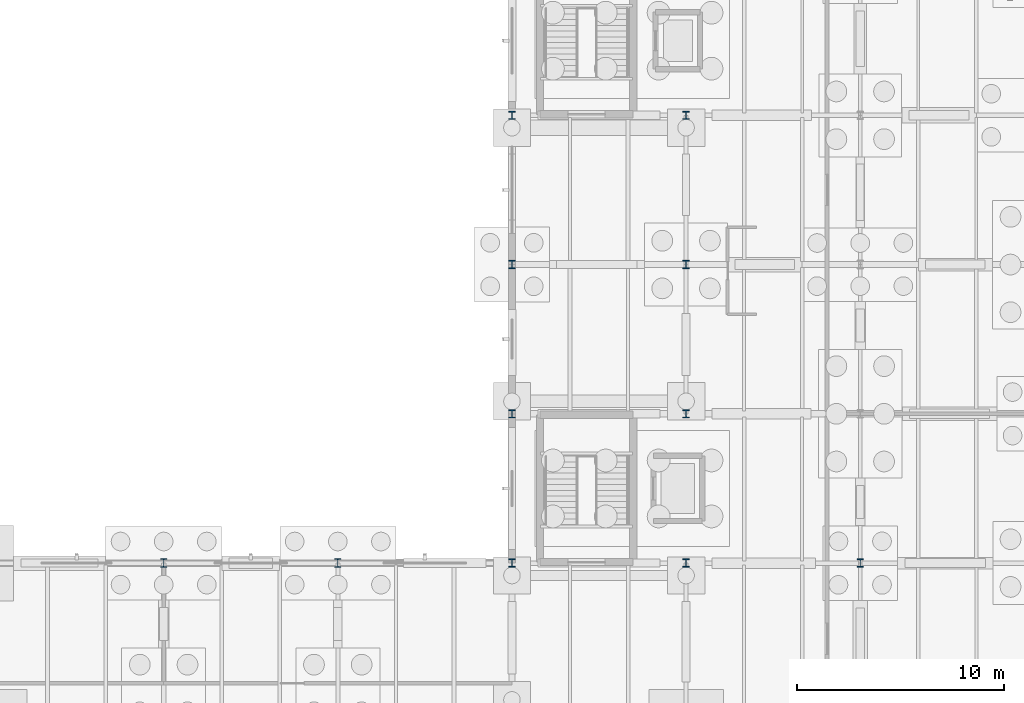
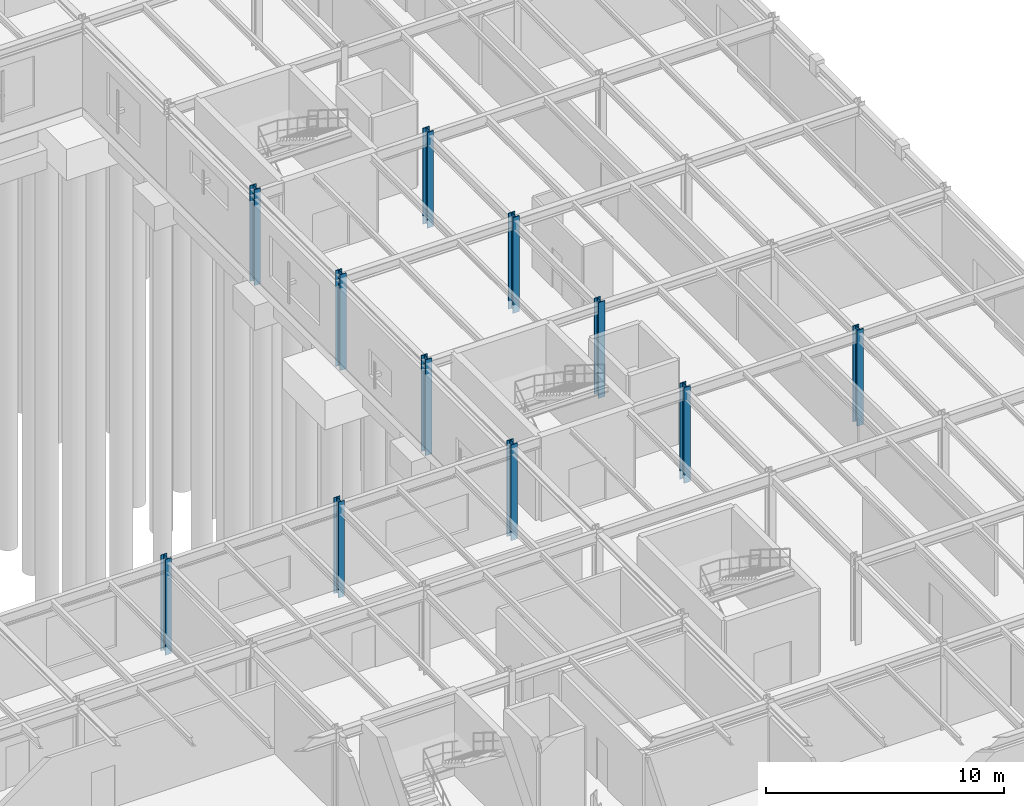
# One storey, part 28 of 93: 11 columns.
"""IFC4 building model written with IfcOpenShell, lengths in metres."""

from ifc_helpers import new_model, si_unit, derived_unit, direction, frame, origin, origin_2d, place, context, subcontext, project, spatial, i_section, extrude, material, material_profile, profile_set, type_object, element, save


model = new_model("IFC4")

# Units and contexts
model_context = context("Model", 3, precision=1e-05, world=origin(), true_north=direction((0.0, 1.0)))
body_context = subcontext(model_context, "Body", "Model", "MODEL_VIEW")
ifc_project = project(units=[si_unit("LENGTHUNIT", "METRE"), si_unit("AREAUNIT", "SQUARE_METRE"), si_unit("VOLUMEUNIT", "CUBIC_METRE"), si_unit("PLANEANGLEUNIT", "RADIAN"), si_unit("MASSUNIT", "GRAM", prefix="KILO"), derived_unit("THERMALTRANSMITTANCEUNIT", [(si_unit("MASSUNIT", "GRAM", prefix="KILO"), 1), (si_unit("TIMEUNIT", "SECOND"), -3), (si_unit("THERMODYNAMICTEMPERATUREUNIT", "KELVIN"), -1)])], contexts=[model_context])

# Site, building, storey
site_placement = place(None, origin())
site = spatial("IfcSite", under=ifc_project, at=site_placement, CompositionType="ELEMENT")
building_placement = place(site_placement, origin())
building = spatial("IfcBuilding", under=site, at=building_placement, Name="Kharveza Railside Sports Centre", CompositionType="ELEMENT")
storey_placement = place(building_placement, origin())
storey = spatial("IfcBuildingStorey", under=building, at=storey_placement, Name="L00", CompositionType="ELEMENT", Elevation=0.0)

# Columns
ifc_material = material(Name="Steel S355J2", Category="steel")
ifc_material_profile_1 = material_profile(ifc_material, i_section(OverallWidth=0.30810546875, OverallDepth=0.39501953125, WebThickness=0.02099609375, FlangeThickness=0.0400390625, FilletRadius=0.027099609375, at=origin_2d()), Name="HEM 360")
ifc_profile_set_1 = profile_set([ifc_material_profile_1], Name="Steel S355J2")
column_type_1 = type_object("IfcColumnType", Name="COL-S02", PredefinedType="COLUMN", material=ifc_profile_set_1)
for number, where, z_axis, x_axis, name in (
    (1, (142.800048828125, 36.0, -0.419921875), (0.0, 0.0, 1.0), (1.0, 0.0, 0.0), "COL-G-C02-X1428-Y360-L00"),
    (2, (142.800048828125, 43.199951171875, -0.419921875), (0.0, 0.0, 1.0), (1.0, 0.0, 0.0), "COL-G-C02-X1428-Y432-L00"),
    (3, (142.800048828125, 50.39990234375, -0.419921875), (0.0, 0.0, 1.0), (1.0, 0.0, 0.0), "COL-G-C02-X1428-Y504-L00"),
    (4, (142.800048828125, 57.60009765625, -0.419921875), (0.0, 0.0, 1.0), (1.0, 0.0, 0.0), "COL-G-C02-X1428-Y576-L00"),
    (5, (151.199951171875, 36.0, -0.419921875), (0.0, 0.0, 1.0), (1.0, 0.0, 0.0), "COL-G-C02-X1512-Y360-L00"),
    (6, (151.199951171875, 43.199951171875, -0.419921875), (0.0, 0.0, 1.0), (1.0, 0.0, 0.0), "COL-G-C02-X1512-Y432-L00"),
    (7, (151.199951171875, 50.39990234375, -0.419921875), (0.0, 0.0, 1.0), (1.0, 0.0, 0.0), "COL-G-C02-X1512-Y504-L00"),
    (8, (151.199951171875, 57.60009765625, -0.419921875), (0.0, 0.0, 1.0), (1.0, 0.0, 0.0), "COL-G-C02-X1512-Y576-L00"),
    (9, (159.60009765625, 36.0, -0.419921875), (0.0, 0.0, 1.0), (1.0, 0.0, 0.0), "COL-G-C02-X1596-Y360-L00"),
):
    element("IfcColumn", number, at=place(storey_placement, frame(where, z_axis=z_axis, x_axis=x_axis)), inside=storey, type_object=column_type_1, Name=name, PredefinedType="COLUMN", context=body_context, shape_type="SweptSolid", body=[
        extrude(i_section(OverallWidth=0.30810546875, OverallDepth=0.39501953125, WebThickness=0.02099609375, FlangeThickness=0.0400390625, FilletRadius=0.027099609375, at=origin_2d()), origin(), (0.0, 0.0, 1.0), 4.919921875),
    ])
ifc_material_profile_2 = material_profile(ifc_material, i_section(OverallWidth=0.300048828125, OverallDepth=0.39990234375, WebThickness=0.013427734375, FlangeThickness=0.02392578125, FilletRadius=0.027099609375, at=origin_2d()), Name="HEB 400")
ifc_profile_set_2 = profile_set([ifc_material_profile_2], Name="Steel S355J2")
column_type_2 = type_object("IfcColumnType", Name="COL-S05", PredefinedType="COLUMN", material=ifc_profile_set_2)
for number, where, z_axis, x_axis, name in (
    (10, (126.0, 36.0, -0.419921875), (0.0, 0.0, 1.0), (1.0, 0.0, 0.0), "COL-G-C05-X1260-Y360-L00"),
    (11, (134.39990234375, 36.0, -0.419921875), (0.0, 0.0, 1.0), (1.0, 0.0, 0.0), "COL-G-C05-X1344-Y360-L00"),
):
    element("IfcColumn", number, at=place(storey_placement, frame(where, z_axis=z_axis, x_axis=x_axis)), inside=storey, type_object=column_type_2, Name=name, PredefinedType="COLUMN", context=body_context, shape_type="SweptSolid", body=[
        extrude(i_section(OverallWidth=0.300048828125, OverallDepth=0.39990234375, WebThickness=0.013427734375, FlangeThickness=0.02392578125, FilletRadius=0.027099609375, at=origin_2d()), origin(), (0.0, 0.0, 1.0), 4.919921875),
    ])

save(model, "model.ifc")
